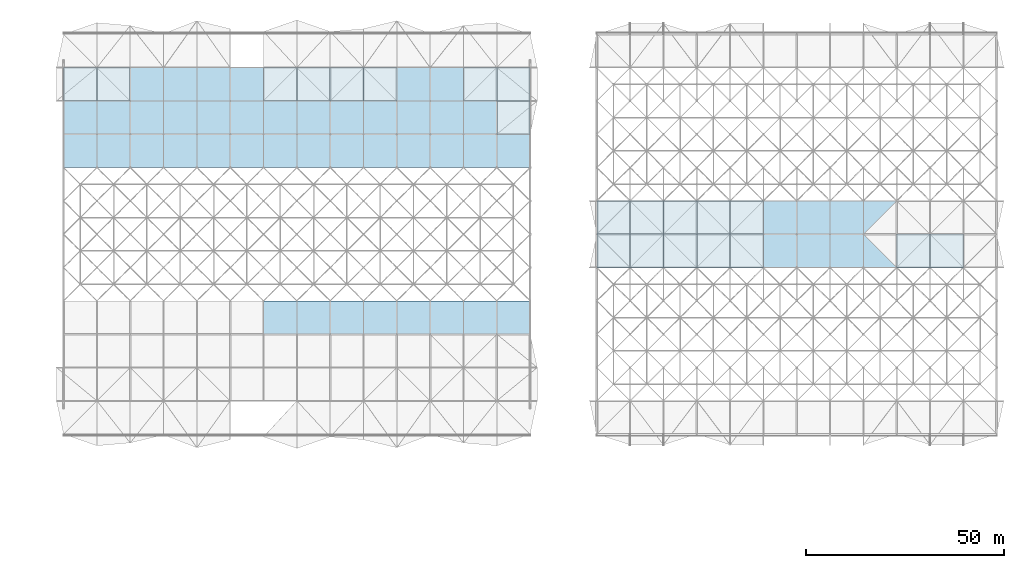
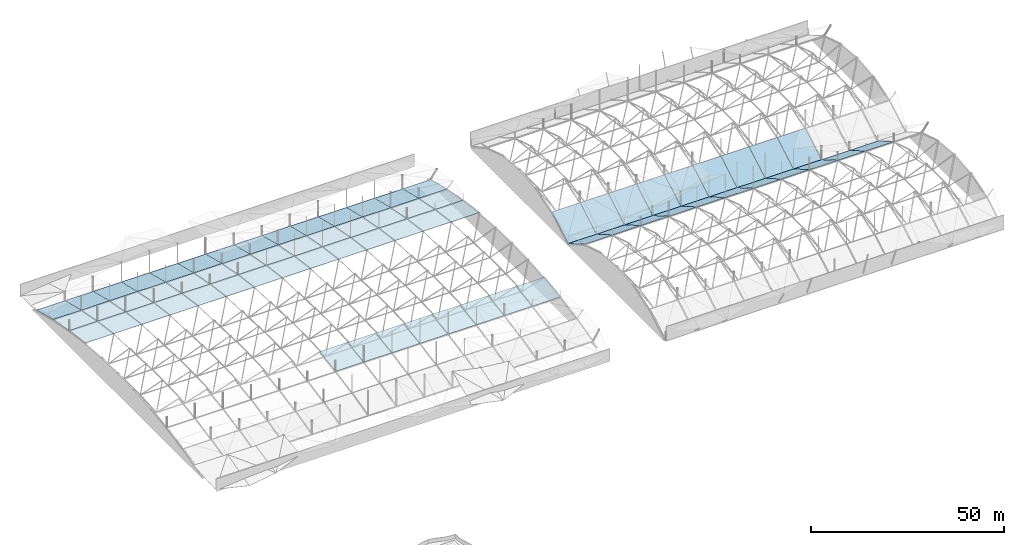
# One storey, part 18 of 111: 70 slabs.
"""IFC4 building model written with IfcOpenShell, lengths in metres."""

from ifc_helpers import new_model, si_unit, direction, frame, origin, place, context, subcontext, project, spatial, polyline, outline, extrude, material, layer, layer_set, type_object, element, save


model = new_model("IFC4")

# Units and contexts
model_context = context("Model", 3, precision=1e-05, world=origin(), true_north=direction((0.0, 1.0)))
body_context = subcontext(model_context, "Body", "Model", "MODEL_VIEW")
ifc_project = project(units=[si_unit("LENGTHUNIT", "METRE"), si_unit("AREAUNIT", "SQUARE_METRE"), si_unit("VOLUMEUNIT", "CUBIC_METRE"), si_unit("PLANEANGLEUNIT", "RADIAN"), si_unit("MASSUNIT", "GRAM", prefix="KILO")], contexts=[model_context])

# Site, building, storey
site_placement = place(None, origin())
site = spatial("IfcSite", under=ifc_project, at=site_placement, CompositionType="ELEMENT")
building_placement = place(site_placement, origin())
building = spatial("IfcBuilding", under=site, at=building_placement, Name="Rain Tree Exposition and Congress Centre", CompositionType="ELEMENT")
storey_placement = place(building_placement, frame((0.0, 0.0, 19.5)))
storey = spatial("IfcBuildingStorey", under=building, at=storey_placement, Name="RF", CompositionType="ELEMENT", Elevation=19.5)

# Slabs
ifc_material = material(Name="Insulated roof panel, S350GD+Z steel skins", Category="steel")
ifc_layer = layer(ifc_material, 0.1201171875)
ifc_layer_set = layer_set([ifc_layer], Name="Insulated roof panel, S350GD+Z steel skins")
slab_type = type_object("IfcSlabType", Name="Vault roof panel 120", PredefinedType="ROOF", material=ifc_layer_set)
slab_1_placement = place(storey_placement, frame((58.800048828125, 126.0, 4.843017578125), z_axis=(0.0, -0.135205730991, 0.990817546427), x_axis=(1.0, 0.0, 0.0)))
element("IfcSlab", 1, at=slab_1_placement, inside=storey, type_object=slab_type, Name="Vault roof panel 49", PredefinedType="ROOF", context=body_context, shape_type="SweptSolid", body=[
    extrude(outline(polyline([(0.0, 0.0), (8.39990234375, 0.0), (8.39990234375, 8.477748879238922), (0.0, 8.477748879238922), (0.0, 0.0)])), origin(), (0.0, 0.0, -1.0), 0.1201171875),
])
slab_2_placement = place(storey_placement, frame((67.199951171875, 126.0, 4.843017578125), z_axis=(0.0, -0.135205730991, 0.990817546427), x_axis=(1.0, 0.0, 0.0)))
element("IfcSlab", 2, at=slab_2_placement, inside=storey, type_object=slab_type, Name="Vault roof panel 50", PredefinedType="ROOF", context=body_context, shape_type="SweptSolid", body=[
    extrude(outline(polyline([(0.0, 0.0), (8.400146484375, 0.0), (8.400146484375, 8.477748879238922), (0.0, 8.477748879238922), (0.0, 0.0)])), origin(), (0.0, 0.0, -1.0), 0.1201171875),
])
for number, where, z_axis, x_axis, name in (
    (3, (75.60009765625, 126.0, 4.843017578125), (0.0, -0.135205730991, 0.990817546427), (1.0, 0.0, 0.0), "Vault roof panel 51"),
    (4, (84.0, 126.0, 4.843017578125), (0.0, -0.135205730991, 0.990817546427), (1.0, 0.0, 0.0), "Vault roof panel 52"),
):
    element("IfcSlab", number, at=place(storey_placement, frame(where, z_axis=z_axis, x_axis=x_axis)), inside=storey, type_object=slab_type, Name=name, PredefinedType="ROOF", context=body_context, shape_type="SweptSolid", body=[
        extrude(outline(polyline([(0.0, 0.0), (8.39990234375, 0.0), (8.39990234375, 8.477748879238922), (0.0, 8.477748879238922), (0.0, 0.0)])), origin(), (0.0, 0.0, -1.0), 0.1201171875),
    ])
slab_3_placement = place(storey_placement, frame((92.39990234375, 126.0, 4.843017578125), z_axis=(0.0, -0.135205730991, 0.990817546427), x_axis=(1.0, 0.0, 0.0)))
element("IfcSlab", 5, at=slab_3_placement, inside=storey, type_object=slab_type, Name="Vault roof panel 53", PredefinedType="ROOF", context=body_context, shape_type="SweptSolid", body=[
    extrude(outline(polyline([(0.0, 0.0), (8.400146484375, 0.0), (8.400146484375, 8.477748879238922), (0.0, 8.477748879238922), (0.0, 0.0)])), origin(), (0.0, 0.0, -1.0), 0.1201171875),
])
slab_4_placement = place(storey_placement, frame((100.800048828125, 126.0, 4.843017578125), z_axis=(0.0, -0.135205730991, 0.990817546427), x_axis=(1.0, 0.0, 0.0)))
element("IfcSlab", 6, at=slab_4_placement, inside=storey, type_object=slab_type, Name="Vault roof panel 54", PredefinedType="ROOF", context=body_context, shape_type="SweptSolid", body=[
    extrude(outline(polyline([(0.0, 0.0), (8.39990234375, 0.0), (8.39990234375, 8.477748879238922), (0.0, 8.477748879238922), (0.0, 0.0)])), origin(), (0.0, 0.0, -1.0), 0.1201171875),
])
slab_5_placement = place(storey_placement, frame((109.199951171875, 126.0, 4.843017578125), z_axis=(0.0, -0.135205730991, 0.990817546427), x_axis=(1.0, 0.0, 0.0)))
element("IfcSlab", 7, at=slab_5_placement, inside=storey, type_object=slab_type, Name="Vault roof panel 55", PredefinedType="ROOF", context=body_context, shape_type="SweptSolid", body=[
    extrude(outline(polyline([(0.0, 0.0), (8.400146484375, 0.0), (8.400146484375, 8.477748879238922), (0.0, 8.477748879238922), (0.0, 0.0)])), origin(), (0.0, 0.0, -1.0), 0.1201171875),
])
slab_6_placement = place(storey_placement, frame((117.60009765625, 126.0, 4.843017578125), z_axis=(0.0, -0.135205730991, 0.990817546427), x_axis=(1.0, 0.0, 0.0)))
element("IfcSlab", 8, at=slab_6_placement, inside=storey, type_object=slab_type, Name="Vault roof panel 56", PredefinedType="ROOF", context=body_context, shape_type="SweptSolid", body=[
    extrude(outline(polyline([(0.0, 0.0), (8.39990234375, 0.0), (8.39990234375, 8.477748879238922), (0.0, 8.477748879238922), (0.0, 0.0)])), origin(), (0.0, 0.0, -1.0), 0.1201171875),
])
slab_7_placement = place(storey_placement, frame((8.39990234375, 168.0, 5.9892578125), z_axis=(0.0, 0.135205730991, 0.990817546427), x_axis=(1.0, 0.0, 0.0)))
element("IfcSlab", 9, at=slab_7_placement, inside=storey, type_object=slab_type, Name="Vault roof panel 113", PredefinedType="ROOF", context=body_context, shape_type="SweptSolid", body=[
    extrude(outline(polyline([(0.0, 0.0), (8.400146484375, 0.0), (8.400146484375, 8.477748879238922), (0.0, 8.477748879238922), (0.0, 0.0)])), origin(), (0.0, 0.0, -1.0), 0.1201171875),
])
slab_8_placement = place(storey_placement, frame((16.800048828125, 168.0, 5.9892578125), z_axis=(0.0, 0.135205730991, 0.990817546427), x_axis=(1.0, 0.0, 0.0)))
element("IfcSlab", 10, at=slab_8_placement, inside=storey, type_object=slab_type, Name="Vault roof panel 114", PredefinedType="ROOF", context=body_context, shape_type="SweptSolid", body=[
    extrude(outline(polyline([(0.0, 0.0), (8.39990234375, 0.0), (8.39990234375, 8.477748879238922), (0.0, 8.477748879238922), (0.0, 0.0)])), origin(), (0.0, 0.0, -1.0), 0.1201171875),
])
slab_9_placement = place(storey_placement, frame((25.199951171875, 168.0, 5.9892578125), z_axis=(0.0, 0.135205730991, 0.990817546427), x_axis=(1.0, 0.0, 0.0)))
element("IfcSlab", 11, at=slab_9_placement, inside=storey, type_object=slab_type, Name="Vault roof panel 115", PredefinedType="ROOF", context=body_context, shape_type="SweptSolid", body=[
    extrude(outline(polyline([(0.0, 0.0), (8.400146484375, 0.0), (8.400146484375, 8.477748879238922), (0.0, 8.477748879238922), (0.0, 0.0)])), origin(), (0.0, 0.0, -1.0), 0.1201171875),
])
for number, where, z_axis, x_axis, name in (
    (12, (33.60009765625, 168.0, 5.9892578125), (0.0, 0.135205730991, 0.990817546427), (1.0, 0.0, 0.0), "Vault roof panel 116"),
    (13, (42.0, 168.0, 5.9892578125), (0.0, 0.135205730991, 0.990817546427), (1.0, 0.0, 0.0), "Vault roof panel 117"),
):
    element("IfcSlab", number, at=place(storey_placement, frame(where, z_axis=z_axis, x_axis=x_axis)), inside=storey, type_object=slab_type, Name=name, PredefinedType="ROOF", context=body_context, shape_type="SweptSolid", body=[
        extrude(outline(polyline([(0.0, 0.0), (8.39990234375, 0.0), (8.39990234375, 8.477748879238922), (0.0, 8.477748879238922), (0.0, 0.0)])), origin(), (0.0, 0.0, -1.0), 0.1201171875),
    ])
slab_10_placement = place(storey_placement, frame((50.39990234375, 168.0, 5.9892578125), z_axis=(0.0, 0.135205730991, 0.990817546427), x_axis=(1.0, 0.0, 0.0)))
element("IfcSlab", 14, at=slab_10_placement, inside=storey, type_object=slab_type, Name="Vault roof panel 118", PredefinedType="ROOF", context=body_context, shape_type="SweptSolid", body=[
    extrude(outline(polyline([(0.0, 0.0), (8.400146484375, 0.0), (8.400146484375, 8.477748879238922), (0.0, 8.477748879238922), (0.0, 0.0)])), origin(), (0.0, 0.0, -1.0), 0.1201171875),
])
slab_11_placement = place(storey_placement, frame((58.800048828125, 168.0, 5.9892578125), z_axis=(0.0, 0.135205730991, 0.990817546427), x_axis=(1.0, 0.0, 0.0)))
element("IfcSlab", 15, at=slab_11_placement, inside=storey, type_object=slab_type, Name="Vault roof panel 119", PredefinedType="ROOF", context=body_context, shape_type="SweptSolid", body=[
    extrude(outline(polyline([(0.0, 0.0), (8.39990234375, 0.0), (8.39990234375, 8.477748879238922), (0.0, 8.477748879238922), (0.0, 0.0)])), origin(), (0.0, 0.0, -1.0), 0.1201171875),
])
slab_12_placement = place(storey_placement, frame((67.199951171875, 168.0, 5.9892578125), z_axis=(0.0, 0.135205730991, 0.990817546427), x_axis=(1.0, 0.0, 0.0)))
element("IfcSlab", 16, at=slab_12_placement, inside=storey, type_object=slab_type, Name="Vault roof panel 120", PredefinedType="ROOF", context=body_context, shape_type="SweptSolid", body=[
    extrude(outline(polyline([(0.0, 0.0), (8.400146484375, 0.0), (8.400146484375, 8.477748879238922), (0.0, 8.477748879238922), (0.0, 0.0)])), origin(), (0.0, 0.0, -1.0), 0.1201171875),
])
for number, where, z_axis, x_axis, name in (
    (17, (75.60009765625, 168.0, 5.9892578125), (0.0, 0.135205730991, 0.990817546427), (1.0, 0.0, 0.0), "Vault roof panel 121"),
    (18, (84.0, 168.0, 5.9892578125), (0.0, 0.135205730991, 0.990817546427), (1.0, 0.0, 0.0), "Vault roof panel 122"),
):
    element("IfcSlab", number, at=place(storey_placement, frame(where, z_axis=z_axis, x_axis=x_axis)), inside=storey, type_object=slab_type, Name=name, PredefinedType="ROOF", context=body_context, shape_type="SweptSolid", body=[
        extrude(outline(polyline([(0.0, 0.0), (8.39990234375, 0.0), (8.39990234375, 8.477748879238922), (0.0, 8.477748879238922), (0.0, 0.0)])), origin(), (0.0, 0.0, -1.0), 0.1201171875),
    ])
slab_13_placement = place(storey_placement, frame((92.39990234375, 168.0, 5.9892578125), z_axis=(0.0, 0.135205730991, 0.990817546427), x_axis=(1.0, 0.0, 0.0)))
element("IfcSlab", 19, at=slab_13_placement, inside=storey, type_object=slab_type, Name="Vault roof panel 123", PredefinedType="ROOF", context=body_context, shape_type="SweptSolid", body=[
    extrude(outline(polyline([(0.0, 0.0), (8.400146484375, 0.0), (8.400146484375, 8.477748879238922), (0.0, 8.477748879238922), (0.0, 0.0)])), origin(), (0.0, 0.0, -1.0), 0.1201171875),
])
slab_14_placement = place(storey_placement, frame((100.800048828125, 168.0, 5.9892578125), z_axis=(0.0, 0.135205730991, 0.990817546427), x_axis=(1.0, 0.0, 0.0)))
element("IfcSlab", 20, at=slab_14_placement, inside=storey, type_object=slab_type, Name="Vault roof panel 124", PredefinedType="ROOF", context=body_context, shape_type="SweptSolid", body=[
    extrude(outline(polyline([(0.0, 0.0), (8.39990234375, 0.0), (8.39990234375, 8.477748879238922), (0.0, 8.477748879238922), (0.0, 0.0)])), origin(), (0.0, 0.0, -1.0), 0.1201171875),
])
slab_15_placement = place(storey_placement, frame((109.199951171875, 168.0, 5.9892578125), z_axis=(0.0, 0.135205730991, 0.990817546427), x_axis=(1.0, 0.0, 0.0)))
element("IfcSlab", 21, at=slab_15_placement, inside=storey, type_object=slab_type, Name="Vault roof panel 125", PredefinedType="ROOF", context=body_context, shape_type="SweptSolid", body=[
    extrude(outline(polyline([(0.0, 0.0), (8.400146484375, 0.0), (8.400146484375, 8.477748879238922), (0.0, 8.477748879238922), (0.0, 0.0)])), origin(), (0.0, 0.0, -1.0), 0.1201171875),
])
slab_16_placement = place(storey_placement, frame((117.60009765625, 168.0, 5.9892578125), z_axis=(0.0, 0.135205730991, 0.990817546427), x_axis=(1.0, 0.0, 0.0)))
element("IfcSlab", 22, at=slab_16_placement, inside=storey, type_object=slab_type, Name="Vault roof panel 126", PredefinedType="ROOF", context=body_context, shape_type="SweptSolid", body=[
    extrude(outline(polyline([(0.0, 0.0), (8.39990234375, 0.0), (8.39990234375, 8.477748879238922), (0.0, 8.477748879238922), (0.0, 0.0)])), origin(), (0.0, 0.0, -1.0), 0.1201171875),
])
slab_17_placement = place(storey_placement, frame((8.39990234375, 176.39990234375, 4.843017578125), z_axis=(0.0, 0.189240080752, 0.981930848806), x_axis=(1.0, 0.0, 0.0)))
element("IfcSlab", 23, at=slab_17_placement, inside=storey, type_object=slab_type, Name="Vault roof panel 127", PredefinedType="ROOF", context=body_context, shape_type="SweptSolid", body=[
    extrude(outline(polyline([(0.0, 0.0), (8.400146484375, 0.0), (8.400146484375, 8.554723068929782), (0.0, 8.554723068929782), (0.0, 0.0)])), origin(), (0.0, 0.0, -1.0), 0.1201171875),
])
slab_18_placement = place(storey_placement, frame((16.800048828125, 176.39990234375, 4.843017578125), z_axis=(0.0, 0.189240080752, 0.981930848806), x_axis=(1.0, 0.0, 0.0)))
element("IfcSlab", 24, at=slab_18_placement, inside=storey, type_object=slab_type, Name="Vault roof panel 128", PredefinedType="ROOF", context=body_context, shape_type="SweptSolid", body=[
    extrude(outline(polyline([(0.0, 0.0), (8.39990234375, 0.0), (8.39990234375, 8.554723068929784), (0.0, 8.554723068929784), (0.0, 0.0)])), origin(), (0.0, 0.0, -1.0), 0.1201171875),
])
slab_19_placement = place(storey_placement, frame((25.199951171875, 176.39990234375, 4.843017578125), z_axis=(0.0, 0.189240080752, 0.981930848806), x_axis=(1.0, 0.0, 0.0)))
element("IfcSlab", 25, at=slab_19_placement, inside=storey, type_object=slab_type, Name="Vault roof panel 129", PredefinedType="ROOF", context=body_context, shape_type="SweptSolid", body=[
    extrude(outline(polyline([(0.0, 0.0), (8.400146484375, 0.0), (8.400146484375, 8.554723068929782), (0.0, 8.554723068929782), (0.0, 0.0)])), origin(), (0.0, 0.0, -1.0), 0.1201171875),
])
for number, where, z_axis, x_axis, name in (
    (26, (33.60009765625, 176.39990234375, 4.843017578125), (0.0, 0.189240080752, 0.981930848806), (1.0, 0.0, 0.0), "Vault roof panel 130"),
    (27, (42.0, 176.39990234375, 4.843017578125), (0.0, 0.189240080752, 0.981930848806), (1.0, 0.0, 0.0), "Vault roof panel 131"),
):
    element("IfcSlab", number, at=place(storey_placement, frame(where, z_axis=z_axis, x_axis=x_axis)), inside=storey, type_object=slab_type, Name=name, PredefinedType="ROOF", context=body_context, shape_type="SweptSolid", body=[
        extrude(outline(polyline([(0.0, 0.0), (8.39990234375, 0.0), (8.39990234375, 8.554723068929784), (0.0, 8.554723068929784), (0.0, 0.0)])), origin(), (0.0, 0.0, -1.0), 0.1201171875),
    ])
slab_20_placement = place(storey_placement, frame((50.39990234375, 176.39990234375, 4.843017578125), z_axis=(0.0, 0.189240080752, 0.981930848806), x_axis=(1.0, 0.0, 0.0)))
element("IfcSlab", 28, at=slab_20_placement, inside=storey, type_object=slab_type, Name="Vault roof panel 132", PredefinedType="ROOF", context=body_context, shape_type="SweptSolid", body=[
    extrude(outline(polyline([(0.0, 0.0), (8.400146484375, 0.0), (8.400146484375, 8.554723068929782), (0.0, 8.554723068929782), (0.0, 0.0)])), origin(), (0.0, 0.0, -1.0), 0.1201171875),
])
slab_21_placement = place(storey_placement, frame((58.800048828125, 176.39990234375, 4.843017578125), z_axis=(0.0, 0.189240080752, 0.981930848806), x_axis=(1.0, 0.0, 0.0)))
element("IfcSlab", 29, at=slab_21_placement, inside=storey, type_object=slab_type, Name="Vault roof panel 133", PredefinedType="ROOF", context=body_context, shape_type="SweptSolid", body=[
    extrude(outline(polyline([(0.0, 0.0), (8.39990234375, 0.0), (8.39990234375, 8.554723068929784), (0.0, 8.554723068929784), (0.0, 0.0)])), origin(), (0.0, 0.0, -1.0), 0.1201171875),
])
slab_22_placement = place(storey_placement, frame((67.199951171875, 176.39990234375, 4.843017578125), z_axis=(0.0, 0.189240080752, 0.981930848806), x_axis=(1.0, 0.0, 0.0)))
element("IfcSlab", 30, at=slab_22_placement, inside=storey, type_object=slab_type, Name="Vault roof panel 134", PredefinedType="ROOF", context=body_context, shape_type="SweptSolid", body=[
    extrude(outline(polyline([(0.0, 0.0), (8.400146484375, 0.0), (8.400146484375, 8.554723068929782), (0.0, 8.554723068929782), (0.0, 0.0)])), origin(), (0.0, 0.0, -1.0), 0.1201171875),
])
for number, where, z_axis, x_axis, name in (
    (31, (75.60009765625, 176.39990234375, 4.843017578125), (0.0, 0.189240080752, 0.981930848806), (1.0, 0.0, 0.0), "Vault roof panel 135"),
    (32, (84.0, 176.39990234375, 4.843017578125), (0.0, 0.189240080752, 0.981930848806), (1.0, 0.0, 0.0), "Vault roof panel 136"),
):
    element("IfcSlab", number, at=place(storey_placement, frame(where, z_axis=z_axis, x_axis=x_axis)), inside=storey, type_object=slab_type, Name=name, PredefinedType="ROOF", context=body_context, shape_type="SweptSolid", body=[
        extrude(outline(polyline([(0.0, 0.0), (8.39990234375, 0.0), (8.39990234375, 8.554723068929784), (0.0, 8.554723068929784), (0.0, 0.0)])), origin(), (0.0, 0.0, -1.0), 0.1201171875),
    ])
slab_23_placement = place(storey_placement, frame((92.39990234375, 176.39990234375, 4.843017578125), z_axis=(0.0, 0.189240080752, 0.981930848806), x_axis=(1.0, 0.0, 0.0)))
element("IfcSlab", 33, at=slab_23_placement, inside=storey, type_object=slab_type, Name="Vault roof panel 137", PredefinedType="ROOF", context=body_context, shape_type="SweptSolid", body=[
    extrude(outline(polyline([(0.0, 0.0), (8.400146484375, 0.0), (8.400146484375, 8.554723068929782), (0.0, 8.554723068929782), (0.0, 0.0)])), origin(), (0.0, 0.0, -1.0), 0.1201171875),
])
slab_24_placement = place(storey_placement, frame((100.800048828125, 176.39990234375, 4.843017578125), z_axis=(0.0, 0.189240080752, 0.981930848806), x_axis=(1.0, 0.0, 0.0)))
element("IfcSlab", 34, at=slab_24_placement, inside=storey, type_object=slab_type, Name="Vault roof panel 138", PredefinedType="ROOF", context=body_context, shape_type="SweptSolid", body=[
    extrude(outline(polyline([(0.0, 0.0), (8.39990234375, 0.0), (8.39990234375, 8.554723068929784), (0.0, 8.554723068929784), (0.0, 0.0)])), origin(), (0.0, 0.0, -1.0), 0.1201171875),
])
slab_25_placement = place(storey_placement, frame((109.199951171875, 176.39990234375, 4.843017578125), z_axis=(0.0, 0.189240080752, 0.981930848806), x_axis=(1.0, 0.0, 0.0)))
element("IfcSlab", 35, at=slab_25_placement, inside=storey, type_object=slab_type, Name="Vault roof panel 139", PredefinedType="ROOF", context=body_context, shape_type="SweptSolid", body=[
    extrude(outline(polyline([(0.0, 0.0), (8.400146484375, 0.0), (8.400146484375, 8.554723068929782), (0.0, 8.554723068929782), (0.0, 0.0)])), origin(), (0.0, 0.0, -1.0), 0.1201171875),
])
slab_26_placement = place(storey_placement, frame((117.60009765625, 176.39990234375, 4.843017578125), z_axis=(0.0, 0.189240080752, 0.981930848806), x_axis=(1.0, 0.0, 0.0)))
element("IfcSlab", 36, at=slab_26_placement, inside=storey, type_object=slab_type, Name="Vault roof panel 140", PredefinedType="ROOF", context=body_context, shape_type="SweptSolid", body=[
    extrude(outline(polyline([(0.0, 0.0), (8.39990234375, 0.0), (8.39990234375, 8.554723068929784), (0.0, 8.554723068929784), (0.0, 0.0)])), origin(), (0.0, 0.0, -1.0), 0.1201171875),
])
slab_27_placement = place(storey_placement, frame((8.39990234375, 184.800048828125, 3.22412109375), z_axis=(0.0, 0.24334478844, 0.969939850681), x_axis=(1.0, 0.0, 0.0)))
element("IfcSlab", 37, at=slab_27_placement, inside=storey, type_object=slab_type, Name="Vault roof panel 141", PredefinedType="ROOF", context=body_context, shape_type="SweptSolid", body=[
    extrude(outline(polyline([(0.0, 0.0), (8.400146484375, 0.0), (8.400146484375, 8.66023015535761), (0.0, 8.66023015535761), (0.0, 0.0)])), origin(), (0.0, 0.0, -1.0), 0.1201171875),
])
slab_28_placement = place(storey_placement, frame((16.800048828125, 184.800048828125, 3.22412109375), z_axis=(0.0, 0.24334478844, 0.969939850681), x_axis=(1.0, 0.0, 0.0)))
element("IfcSlab", 38, at=slab_28_placement, inside=storey, type_object=slab_type, Name="Vault roof panel 142", PredefinedType="ROOF", context=body_context, shape_type="SweptSolid", body=[
    extrude(outline(polyline([(0.0, 0.0), (8.39990234375, 0.0), (8.39990234375, 8.66023015535761), (0.0, 8.66023015535761), (0.0, 0.0)])), origin(), (0.0, 0.0, -1.0), 0.1201171875),
])
slab_29_placement = place(storey_placement, frame((25.199951171875, 184.800048828125, 3.22412109375), z_axis=(0.0, 0.24334478844, 0.969939850681), x_axis=(1.0, 0.0, 0.0)))
element("IfcSlab", 39, at=slab_29_placement, inside=storey, type_object=slab_type, Name="Vault roof panel 143", PredefinedType="ROOF", context=body_context, shape_type="SweptSolid", body=[
    extrude(outline(polyline([(0.0, 0.0), (8.400146484375, 0.0), (8.400146484375, 8.66023015535761), (0.0, 8.66023015535761), (0.0, 0.0)])), origin(), (0.0, 0.0, -1.0), 0.1201171875),
])
for number, where, z_axis, x_axis, name in (
    (40, (33.60009765625, 184.800048828125, 3.22412109375), (0.0, 0.24334478844, 0.969939850681), (1.0, 0.0, 0.0), "Vault roof panel 144"),
    (41, (42.0, 184.800048828125, 3.22412109375), (0.0, 0.24334478844, 0.969939850681), (1.0, 0.0, 0.0), "Vault roof panel 145"),
):
    element("IfcSlab", number, at=place(storey_placement, frame(where, z_axis=z_axis, x_axis=x_axis)), inside=storey, type_object=slab_type, Name=name, PredefinedType="ROOF", context=body_context, shape_type="SweptSolid", body=[
        extrude(outline(polyline([(0.0, 0.0), (8.39990234375, 0.0), (8.39990234375, 8.66023015535761), (0.0, 8.66023015535761), (0.0, 0.0)])), origin(), (0.0, 0.0, -1.0), 0.1201171875),
    ])
slab_30_placement = place(storey_placement, frame((50.39990234375, 184.800048828125, 3.22412109375), z_axis=(0.0, 0.24334478844, 0.969939850681), x_axis=(1.0, 0.0, 0.0)))
element("IfcSlab", 42, at=slab_30_placement, inside=storey, type_object=slab_type, Name="Vault roof panel 146", PredefinedType="ROOF", context=body_context, shape_type="SweptSolid", body=[
    extrude(outline(polyline([(0.0, 0.0), (8.400146484375, 0.0), (8.400146484375, 8.66023015535761), (0.0, 8.66023015535761), (0.0, 0.0)])), origin(), (0.0, 0.0, -1.0), 0.1201171875),
])
slab_31_placement = place(storey_placement, frame((58.800048828125, 184.800048828125, 3.22412109375), z_axis=(0.0, 0.24334478844, 0.969939850681), x_axis=(1.0, 0.0, 0.0)))
element("IfcSlab", 43, at=slab_31_placement, inside=storey, type_object=slab_type, Name="Vault roof panel 147", PredefinedType="ROOF", context=body_context, shape_type="SweptSolid", body=[
    extrude(outline(polyline([(0.0, 0.0), (8.39990234375, 0.0), (8.39990234375, 8.66023015535761), (0.0, 8.66023015535761), (0.0, 0.0)])), origin(), (0.0, 0.0, -1.0), 0.1201171875),
])
slab_32_placement = place(storey_placement, frame((67.199951171875, 184.800048828125, 3.22412109375), z_axis=(0.0, 0.24334478844, 0.969939850681), x_axis=(1.0, 0.0, 0.0)))
element("IfcSlab", 44, at=slab_32_placement, inside=storey, type_object=slab_type, Name="Vault roof panel 148", PredefinedType="ROOF", context=body_context, shape_type="SweptSolid", body=[
    extrude(outline(polyline([(0.0, 0.0), (8.400146484375, 0.0), (8.400146484375, 8.66023015535761), (0.0, 8.66023015535761), (0.0, 0.0)])), origin(), (0.0, 0.0, -1.0), 0.1201171875),
])
for number, where, z_axis, x_axis, name in (
    (45, (75.60009765625, 184.800048828125, 3.22412109375), (0.0, 0.24334478844, 0.969939850681), (1.0, 0.0, 0.0), "Vault roof panel 149"),
    (46, (84.0, 184.800048828125, 3.22412109375), (0.0, 0.24334478844, 0.969939850681), (1.0, 0.0, 0.0), "Vault roof panel 150"),
):
    element("IfcSlab", number, at=place(storey_placement, frame(where, z_axis=z_axis, x_axis=x_axis)), inside=storey, type_object=slab_type, Name=name, PredefinedType="ROOF", context=body_context, shape_type="SweptSolid", body=[
        extrude(outline(polyline([(0.0, 0.0), (8.39990234375, 0.0), (8.39990234375, 8.66023015535761), (0.0, 8.66023015535761), (0.0, 0.0)])), origin(), (0.0, 0.0, -1.0), 0.1201171875),
    ])
slab_33_placement = place(storey_placement, frame((92.39990234375, 184.800048828125, 3.22412109375), z_axis=(0.0, 0.24334478844, 0.969939850681), x_axis=(1.0, 0.0, 0.0)))
element("IfcSlab", 47, at=slab_33_placement, inside=storey, type_object=slab_type, Name="Vault roof panel 151", PredefinedType="ROOF", context=body_context, shape_type="SweptSolid", body=[
    extrude(outline(polyline([(0.0, 0.0), (8.400146484375, 0.0), (8.400146484375, 8.66023015535761), (0.0, 8.66023015535761), (0.0, 0.0)])), origin(), (0.0, 0.0, -1.0), 0.1201171875),
])
slab_34_placement = place(storey_placement, frame((100.800048828125, 184.800048828125, 3.22412109375), z_axis=(0.0, 0.24334478844, 0.969939850681), x_axis=(1.0, 0.0, 0.0)))
element("IfcSlab", 48, at=slab_34_placement, inside=storey, type_object=slab_type, Name="Vault roof panel 152", PredefinedType="ROOF", context=body_context, shape_type="SweptSolid", body=[
    extrude(outline(polyline([(0.0, 0.0), (8.39990234375, 0.0), (8.39990234375, 8.66023015535761), (0.0, 8.66023015535761), (0.0, 0.0)])), origin(), (0.0, 0.0, -1.0), 0.1201171875),
])
slab_35_placement = place(storey_placement, frame((109.199951171875, 184.800048828125, 3.22412109375), z_axis=(0.0, 0.24334478844, 0.969939850681), x_axis=(1.0, 0.0, 0.0)))
element("IfcSlab", 49, at=slab_35_placement, inside=storey, type_object=slab_type, Name="Vault roof panel 153", PredefinedType="ROOF", context=body_context, shape_type="SweptSolid", body=[
    extrude(outline(polyline([(0.0, 0.0), (8.400146484375, 0.0), (8.400146484375, 8.66023015535761), (0.0, 8.66023015535761), (0.0, 0.0)])), origin(), (0.0, 0.0, -1.0), 0.1201171875),
])
slab_36_placement = place(storey_placement, frame((117.60009765625, 184.800048828125, 3.22412109375), z_axis=(0.0, 0.24334478844, 0.969939850681), x_axis=(1.0, 0.0, 0.0)))
element("IfcSlab", 50, at=slab_36_placement, inside=storey, type_object=slab_type, Name="Vault roof panel 154", PredefinedType="ROOF", context=body_context, shape_type="SweptSolid", body=[
    extrude(outline(polyline([(0.0, 0.0), (8.39990234375, 0.0), (8.39990234375, 8.66023015535761), (0.0, 8.66023015535761), (0.0, 0.0)])), origin(), (0.0, 0.0, -1.0), 0.1201171875),
])
slab_37_placement = place(storey_placement, frame((142.800048828125, 142.800048828125, 5.39404296875), z_axis=(0.0, 0.503418138928, 0.864042925669), x_axis=(1.0, 0.0, 0.0)))
element("IfcSlab", 51, at=slab_37_placement, inside=storey, type_object=slab_type, Name="Vault roof panel 61", PredefinedType="ROOF", context=body_context, shape_type="SweptSolid", body=[
    extrude(outline(polyline([(0.0, 0.0), (8.39990234375, 0.0), (8.39990234375, 9.7216261995876), (0.0, 9.7216261995876), (0.0, 0.0)])), origin(), (0.0, 0.0, -1.0), 0.1201171875),
])
slab_38_placement = place(storey_placement, frame((151.199951171875, 142.800048828125, 5.39404296875), z_axis=(0.0, 0.503418138928, 0.864042925669), x_axis=(1.0, 0.0, 0.0)))
element("IfcSlab", 52, at=slab_38_placement, inside=storey, type_object=slab_type, Name="Vault roof panel 62", PredefinedType="ROOF", context=body_context, shape_type="SweptSolid", body=[
    extrude(outline(polyline([(0.0, 0.0), (8.400146484375, 0.0), (8.400146484375, 9.7216261995876), (0.0, 9.7216261995876), (0.0, 0.0)])), origin(), (0.0, 0.0, -1.0), 0.1201171875),
])
for number, where, z_axis, x_axis, name in (
    (53, (159.60009765625, 142.800048828125, 5.39404296875), (0.0, 0.503418138928, 0.864042925669), (1.0, 0.0, 0.0), "Vault roof panel 63"),
    (54, (168.0, 142.800048828125, 5.39404296875), (0.0, 0.503418138928, 0.864042925669), (1.0, 0.0, 0.0), "Vault roof panel 64"),
):
    element("IfcSlab", number, at=place(storey_placement, frame(where, z_axis=z_axis, x_axis=x_axis)), inside=storey, type_object=slab_type, Name=name, PredefinedType="ROOF", context=body_context, shape_type="SweptSolid", body=[
        extrude(outline(polyline([(0.0, 0.0), (8.39990234375, 0.0), (8.39990234375, 9.7216261995876), (0.0, 9.7216261995876), (0.0, 0.0)])), origin(), (0.0, 0.0, -1.0), 0.1201171875),
    ])
slab_39_placement = place(storey_placement, frame((176.39990234375, 142.800048828125, 5.39404296875), z_axis=(0.0, 0.503418138928, 0.864042925669), x_axis=(1.0, 0.0, 0.0)))
element("IfcSlab", 55, at=slab_39_placement, inside=storey, type_object=slab_type, Name="Vault roof panel 65", PredefinedType="ROOF", context=body_context, shape_type="SweptSolid", body=[
    extrude(outline(polyline([(0.0, 0.0), (8.400146484375, 0.0), (8.400146484375, 9.7216261995876), (0.0, 9.7216261995876), (0.0, 0.0)])), origin(), (0.0, 0.0, -1.0), 0.1201171875),
])
slab_40_placement = place(storey_placement, frame((184.800048828125, 142.800048828125, 5.39404296875), z_axis=(0.0, 0.503418138928, 0.864042925669), x_axis=(1.0, 0.0, 0.0)))
element("IfcSlab", 56, at=slab_40_placement, inside=storey, type_object=slab_type, Name="Vault roof panel 66", PredefinedType="ROOF", context=body_context, shape_type="SweptSolid", body=[
    extrude(outline(polyline([(0.0, 0.0), (8.39990234375, 0.0), (8.39990234375, 9.7216261995876), (0.0, 9.7216261995876), (0.0, 0.0)])), origin(), (0.0, 0.0, -1.0), 0.1201171875),
])
slab_41_placement = place(storey_placement, frame((193.199951171875, 142.800048828125, 5.39404296875), z_axis=(0.0, 0.503418138928, 0.864042925669), x_axis=(1.0, 0.0, 0.0)))
element("IfcSlab", 57, at=slab_41_placement, inside=storey, type_object=slab_type, Name="Vault roof panel 67", PredefinedType="ROOF", context=body_context, shape_type="SweptSolid", body=[
    extrude(outline(polyline([(0.0, 0.0), (8.400146484375, 0.0), (8.400146484375, 9.7216261995876), (0.0, 9.7216261995876), (0.0, 0.0)])), origin(), (0.0, 0.0, -1.0), 0.1201171875),
])
for number, where, z_axis, x_axis, name in (
    (58, (201.60009765625, 142.800048828125, 5.39404296875), (0.0, 0.503418138928, 0.864042925669), (1.0, 0.0, 0.0), "Vault roof panel 68"),
    (59, (210.0, 142.800048828125, 5.39404296875), (0.0, 0.503418138928, 0.864042925669), (1.0, 0.0, 0.0), "Vault roof panel 69"),
):
    element("IfcSlab", number, at=place(storey_placement, frame(where, z_axis=z_axis, x_axis=x_axis)), inside=storey, type_object=slab_type, Name=name, PredefinedType="ROOF", context=body_context, shape_type="SweptSolid", body=[
        extrude(outline(polyline([(0.0, 0.0), (8.39990234375, 0.0), (8.39990234375, 9.7216261995876), (0.0, 9.7216261995876), (0.0, 0.0)])), origin(), (0.0, 0.0, -1.0), 0.1201171875),
    ])
slab_42_placement = place(storey_placement, frame((218.39990234375, 142.800048828125, 5.39404296875), z_axis=(0.0, 0.503418138928, 0.864042925669), x_axis=(1.0, 0.0, 0.0)))
element("IfcSlab", 60, at=slab_42_placement, inside=storey, type_object=slab_type, Name="Vault roof panel 70", PredefinedType="ROOF", context=body_context, shape_type="SweptSolid", body=[
    extrude(outline(polyline([(0.0, 0.0), (8.400146484375, 0.0), (8.400146484375, 9.7216261995876), (0.0, 9.7216261995876), (0.0, 0.0)])), origin(), (0.0, 0.0, -1.0), 0.1201171875),
])
slab_43_placement = place(storey_placement, frame((226.800048828125, 142.800048828125, 5.39404296875), z_axis=(0.0, 0.503418138928, 0.864042925669), x_axis=(1.0, 0.0, 0.0)))
element("IfcSlab", 61, at=slab_43_placement, inside=storey, type_object=slab_type, Name="Vault roof panel 71", PredefinedType="ROOF", context=body_context, shape_type="SweptSolid", body=[
    extrude(outline(polyline([(0.0, 0.0), (8.39990234375, 0.0), (8.39990234375, 9.7216261995876), (0.0, 9.7216261995876), (0.0, 0.0)])), origin(), (0.0, 0.0, -1.0), 0.1201171875),
])
slab_44_placement = place(storey_placement, frame((142.800048828125, 151.199951171875, 0.5), z_axis=(0.0, -0.503407215537, 0.864049289882), x_axis=(1.0, 0.0, 0.0)))
element("IfcSlab", 62, at=slab_44_placement, inside=storey, type_object=slab_type, Name="Vault roof panel 73", PredefinedType="ROOF", context=body_context, shape_type="SweptSolid", body=[
    extrude(outline(polyline([(0.0, 0.0), (8.39990234375, 0.0), (8.39990234375, 9.721837148344392), (0.0, 9.721837148344392), (0.0, 0.0)])), origin(), (0.0, 0.0, -1.0), 0.1201171875),
])
slab_45_placement = place(storey_placement, frame((151.199951171875, 151.199951171875, 0.5), z_axis=(0.0, -0.503407215537, 0.864049289882), x_axis=(1.0, 0.0, 0.0)))
element("IfcSlab", 63, at=slab_45_placement, inside=storey, type_object=slab_type, Name="Vault roof panel 74", PredefinedType="ROOF", context=body_context, shape_type="SweptSolid", body=[
    extrude(outline(polyline([(0.0, 0.0), (8.400146484375, 0.0), (8.400146484375, 9.72183714834439), (0.0, 9.72183714834439), (0.0, 0.0)])), origin(), (0.0, 0.0, -1.0), 0.1201171875),
])
for number, where, z_axis, x_axis, name in (
    (64, (159.60009765625, 151.199951171875, 0.5), (0.0, -0.503407215537, 0.864049289882), (1.0, 0.0, 0.0), "Vault roof panel 75"),
    (65, (168.0, 151.199951171875, 0.5), (0.0, -0.503407215537, 0.864049289882), (1.0, 0.0, 0.0), "Vault roof panel 76"),
):
    element("IfcSlab", number, at=place(storey_placement, frame(where, z_axis=z_axis, x_axis=x_axis)), inside=storey, type_object=slab_type, Name=name, PredefinedType="ROOF", context=body_context, shape_type="SweptSolid", body=[
        extrude(outline(polyline([(0.0, 0.0), (8.39990234375, 0.0), (8.39990234375, 9.721837148344392), (0.0, 9.721837148344392), (0.0, 0.0)])), origin(), (0.0, 0.0, -1.0), 0.1201171875),
    ])
slab_46_placement = place(storey_placement, frame((176.39990234375, 151.199951171875, 0.5), z_axis=(0.0, -0.503407215537, 0.864049289882), x_axis=(1.0, 0.0, 0.0)))
element("IfcSlab", 66, at=slab_46_placement, inside=storey, type_object=slab_type, Name="Vault roof panel 77", PredefinedType="ROOF", context=body_context, shape_type="SweptSolid", body=[
    extrude(outline(polyline([(0.0, 0.0), (8.400146484375, 0.0), (8.400146484375, 9.72183714834439), (0.0, 9.72183714834439), (0.0, 0.0)])), origin(), (0.0, 0.0, -1.0), 0.1201171875),
])
slab_47_placement = place(storey_placement, frame((184.800048828125, 151.199951171875, 0.5), z_axis=(0.0, -0.503407215537, 0.864049289882), x_axis=(1.0, 0.0, 0.0)))
element("IfcSlab", 67, at=slab_47_placement, inside=storey, type_object=slab_type, Name="Vault roof panel 78", PredefinedType="ROOF", context=body_context, shape_type="SweptSolid", body=[
    extrude(outline(polyline([(0.0, 0.0), (8.39990234375, 0.0), (8.39990234375, 9.721837148344392), (0.0, 9.721837148344392), (0.0, 0.0)])), origin(), (0.0, 0.0, -1.0), 0.1201171875),
])
slab_48_placement = place(storey_placement, frame((193.199951171875, 151.199951171875, 0.5), z_axis=(0.0, -0.503407215537, 0.864049289882), x_axis=(1.0, 0.0, 0.0)))
element("IfcSlab", 68, at=slab_48_placement, inside=storey, type_object=slab_type, Name="Vault roof panel 79", PredefinedType="ROOF", context=body_context, shape_type="SweptSolid", body=[
    extrude(outline(polyline([(0.0, 0.0), (8.400146484375, 0.0), (8.400146484375, 9.72183714834439), (0.0, 9.72183714834439), (0.0, 0.0)])), origin(), (0.0, 0.0, -1.0), 0.1201171875),
])
for number, where, z_axis, x_axis, name in (
    (69, (201.60009765625, 151.199951171875, 0.5), (0.0, -0.503407215537, 0.864049289882), (1.0, 0.0, 0.0), "Vault roof panel 80"),
    (70, (210.0, 151.199951171875, 0.5), (0.0, -0.503407215537, 0.864049289882), (1.0, 0.0, 0.0), "Vault roof panel 81"),
):
    element("IfcSlab", number, at=place(storey_placement, frame(where, z_axis=z_axis, x_axis=x_axis)), inside=storey, type_object=slab_type, Name=name, PredefinedType="ROOF", context=body_context, shape_type="SweptSolid", body=[
        extrude(outline(polyline([(0.0, 0.0), (8.39990234375, 0.0), (8.39990234375, 9.721837148344392), (0.0, 9.721837148344392), (0.0, 0.0)])), origin(), (0.0, 0.0, -1.0), 0.1201171875),
    ])

save(model, "model.ifc")
